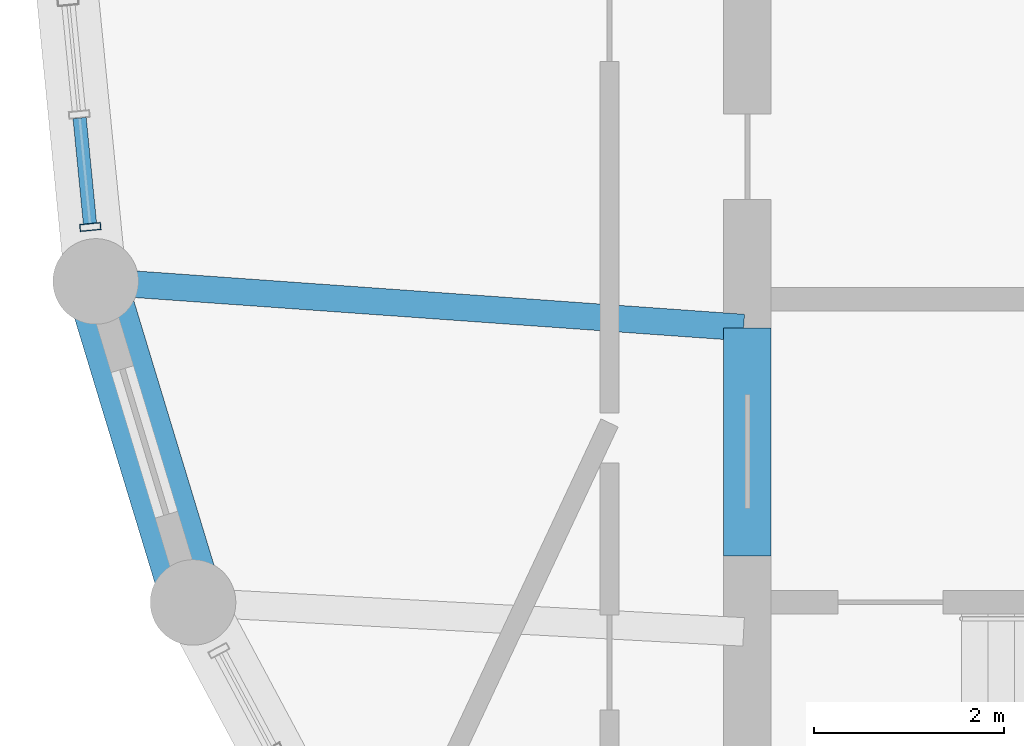
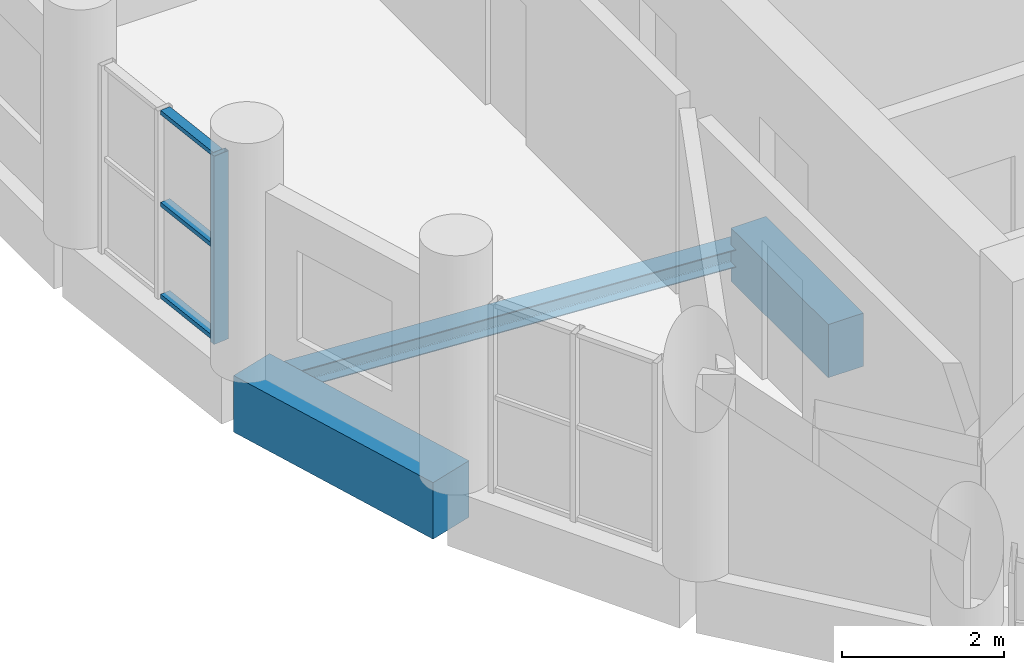
# One storey, part 3 of 11: 4 members, 3 beams, 1 element without a shape of its own.
"""IFC4 building model written with IfcOpenShell, lengths in metres."""

from ifc_helpers import new_model, si_unit, direction, frame, origin, origin_2d, place, context, subcontext, project, spatial, rectangle, hollow_rectangle, i_section, extrude, material, layer, layer_set, material_profile, profile_set, type_object, element, aggregate, save


model = new_model("IFC4")

# Units and contexts
model_context = context("Model", 3, precision=1e-05, world=origin(), true_north=direction((0.0, 1.0)))
body_context = subcontext(model_context, "Body", "Model", "MODEL_VIEW")
ifc_project = project(units=[si_unit("LENGTHUNIT", "METRE"), si_unit("AREAUNIT", "SQUARE_METRE"), si_unit("VOLUMEUNIT", "CUBIC_METRE"), si_unit("PLANEANGLEUNIT", "RADIAN"), si_unit("MASSUNIT", "GRAM", prefix="KILO")], contexts=[model_context])

# Site, building, storey
site_placement = place(None, origin())
site = spatial("IfcSite", under=ifc_project, at=site_placement, CompositionType="ELEMENT")
building_placement = place(site_placement, origin())
building = spatial("IfcBuilding", under=site, at=building_placement, Name="Solnavia Interchange Tower", CompositionType="ELEMENT")
storey_placement = place(building_placement, frame((0.0, 0.0, 217.39990234375)))
storey = spatial("IfcBuildingStorey", under=building, at=storey_placement, Name="L54", CompositionType="ELEMENT", Elevation=217.39990234375)

# Beams
ifc_material_1 = material(Name="Concrete C50/60", Category="concrete")
ifc_material_profile_1 = material_profile(ifc_material_1, rectangle(XDim=0.5, YDim=0.800048828125, at=origin_2d()), Name="RC 500x800")
ifc_profile_set_1 = profile_set([ifc_material_profile_1], Name="Concrete C50/60")
beam_type_1 = type_object("IfcBeamType", Name="Beam-Coupling-RC500x800", PredefinedType="LINTEL", material=ifc_profile_set_1)
beam_1_placement = place(storey_placement, frame((14.39990234375, 15.199951171875, -0.39990234375), z_axis=(0.0, 1.0, 0.0), x_axis=(-1.0, 0.0, 0.0)))
element("IfcBeam", 1, at=beam_1_placement, inside=storey, type_object=beam_type_1, Name="CPB-L54-W1 Core coupling lintel beam", PredefinedType="LINTEL", context=body_context, shape_type="SweptSolid", body=[
    extrude(rectangle(XDim=0.5, YDim=0.800048828125, at=origin_2d()), origin(), (0.0, 0.0, 1.0), 2.400146484375),
])
ifc_material_2 = material(Name="Steel S355", Category="steel")
ifc_material_profile_2 = material_profile(ifc_material_2, i_section(OverallWidth=0.280029296875, OverallDepth=0.27001953125, WebThickness=0.008056640625, FlangeThickness=0.012939453125, FilletRadius=0.02392578125, at=origin_2d()), Name="HEA 280")
ifc_profile_set_2 = profile_set([ifc_material_profile_2], Name="Steel S355")
beam_type_2 = type_object("IfcBeamType", Name="Beam-Primary-HEA280", PredefinedType="BEAM", material=ifc_profile_set_2)
beam_2_placement = place(storey_placement, frame((7.625732421875, 18.082275390625, -0.385009765625), z_axis=(0.99747482749, -0.071020902015, 0.0), x_axis=(0.071020902015, 0.99747482749, 0.0)))
element("IfcBeam", 2, at=beam_2_placement, inside=storey, type_object=beam_type_2, Name="GRD-L54-DR12 Drum radial floor girder", PredefinedType="BEAM", context=body_context, shape_type="SweptSolid", body=[
    extrude(i_section(OverallWidth=0.280029296875, OverallDepth=0.27001953125, WebThickness=0.008056640625, FlangeThickness=0.012939453125, FilletRadius=0.02392578125, at=origin_2d()), origin(), (0.0, 0.0, 1.0), 6.75146484375),
])
ifc_material_profile_3 = material_profile(ifc_material_1, rectangle(XDim=0.64990234375, YDim=0.85009765625, at=origin_2d()), Name="RC 650x850")
ifc_profile_set_3 = profile_set([ifc_material_profile_3], Name="Concrete C50/60")
beam_type_3 = type_object("IfcBeamType", Name="Beam-Spandrel-RC650x850", PredefinedType="SPANDREL", material=ifc_profile_set_3)
beam_3_placement = place(storey_placement, frame((7.569091796875, 18.011474609375, -0.4248046875), z_axis=(0.290319223646, -0.956929855518, 0.0), x_axis=(0.956929855518, 0.290319223646, 0.0)))
element("IfcBeam", 3, at=beam_3_placement, inside=storey, type_object=beam_type_3, Name="SPB-L54-02 Framed-tube perimeter spandrel beam", PredefinedType="SPANDREL", context=body_context, shape_type="SweptSolid", body=[
    extrude(rectangle(XDim=0.64990234375, YDim=0.85009765625, at=origin_2d()), origin(), (0.0, 0.0, 1.0), 3.367919921875),
])

# Curtain wall, members
ifc_material_3 = material(Name="Aluminium Alloy 6063-T6", Category="aluminium")
ifc_layer = layer(ifc_material_3, 0.239990234375)
ifc_layer_set = layer_set([ifc_layer], Name="Aluminium Alloy 6063-T6")
curtain_wall_type = type_object("IfcCurtainWallType", Name="CurtainWall-Drum-CTW2", PredefinedType="NOTDEFINED", material=ifc_layer_set)
curtain_wall_placement = place(storey_placement, origin())
curtain_wall = element("IfcCurtainWall", 4, at=curtain_wall_placement, inside=storey, type_object=curtain_wall_type, Name="CTW-L54-D47 CTW-2 curtain wall", PredefinedType="NOTDEFINED")
ifc_material_profile_4 = material_profile(ifc_material_3, hollow_rectangle(XDim=0.074951171875, YDim=0.219970703125, WallThickness=0.0048828125, at=origin_2d()), Name="ALU 220x75x5")
ifc_profile_set_4 = profile_set([ifc_material_profile_4], Name="Aluminium Alloy 6063-T6")
member_type_1 = type_object("IfcMemberType", Name="CW-Mullion-CWM-2", PredefinedType="MULLION", material=ifc_profile_set_4)
member_1_placement = place(storey_placement, frame((7.489501953125, 18.66015625, 0.0), z_axis=(0.0, 0.0, 1.0), x_axis=(0.098043088306, -0.995182170678, 0.0)))
member_1 = element("IfcMember", 5, at=member_1_placement, type_object=member_type_1, Name="CTW-2 mullion 3", PredefinedType="MULLION", context=body_context, shape_type="SweptSolid", body=[
    extrude(hollow_rectangle(XDim=0.074951171875, YDim=0.219970703125, WallThickness=0.0048828125, at=origin_2d()), origin(), (0.0, 0.0, 1.0), 2.830078125),
])
ifc_material_profile_5 = material_profile(ifc_material_3, hollow_rectangle(XDim=0.06494140625, YDim=0.139892578125, WallThickness=0.00390625, at=origin_2d()), Name="ALU 140x65x4")
ifc_profile_set_5 = profile_set([ifc_material_profile_5], Name="Aluminium Alloy 6063-T6")
member_type_2 = type_object("IfcMemberType", Name="CW-Transom-CWT-2", PredefinedType="USERDEFINED", material=ifc_profile_set_5)
member_2_placement = place(storey_placement, frame((7.376708984375, 19.806640625, 0.03271484375), z_axis=(0.097920280653, -0.995194261758, 0.0), x_axis=(0.0, 0.0, 1.0)))
member_2 = element("IfcMember", 6, at=member_2_placement, type_object=member_type_2, Name="CTW-2 transom 2.1", ObjectType="TRANSOM", PredefinedType="USERDEFINED", context=body_context, shape_type="SweptSolid", body=[
    extrude(hollow_rectangle(XDim=0.06494140625, YDim=0.139892578125, WallThickness=0.00390625, at=origin_2d()), origin(), (0.0, 0.0, 1.0), 1.114501953125),
])
member_3_placement = place(storey_placement, frame((7.376708984375, 19.806640625, 1.4150390625), z_axis=(0.097920280653, -0.995194261758, 0.0), x_axis=(0.0, 0.0, 1.0)))
member_3 = element("IfcMember", 7, at=member_3_placement, type_object=member_type_2, Name="CTW-2 transom 2.2", ObjectType="TRANSOM", PredefinedType="USERDEFINED", context=body_context, shape_type="SweptSolid", body=[
    extrude(hollow_rectangle(XDim=0.06494140625, YDim=0.139892578125, WallThickness=0.00390625, at=origin_2d()), origin(), (0.0, 0.0, 1.0), 1.114501953125),
])
member_4_placement = place(storey_placement, frame((7.376708984375, 19.806640625, 2.797607421875), z_axis=(0.097920280653, -0.995194261758, 0.0), x_axis=(0.0, 0.0, 1.0)))
member_4 = element("IfcMember", 8, at=member_4_placement, type_object=member_type_2, Name="CTW-2 transom 2.3", ObjectType="TRANSOM", PredefinedType="USERDEFINED", context=body_context, shape_type="SweptSolid", body=[
    extrude(hollow_rectangle(XDim=0.06494140625, YDim=0.139892578125, WallThickness=0.00390625, at=origin_2d()), origin(), (0.0, 0.0, 1.0), 1.114501953125),
])
aggregate(curtain_wall, [member_1, member_2, member_3, member_4])

save(model, "model.ifc")
